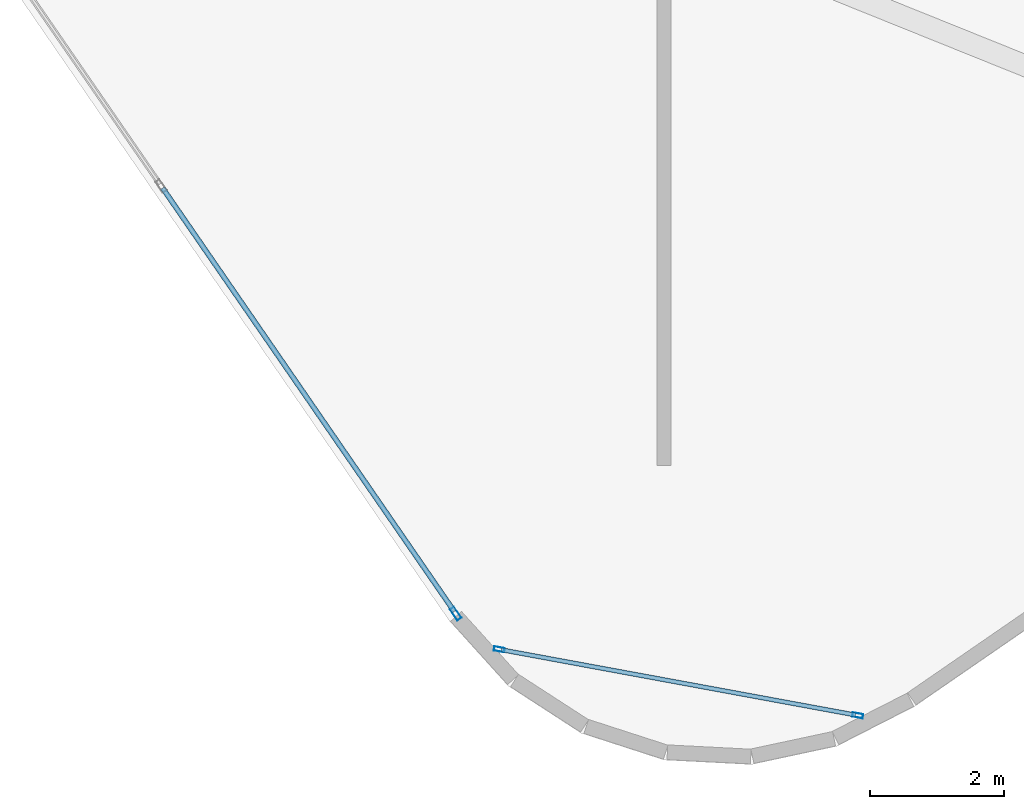
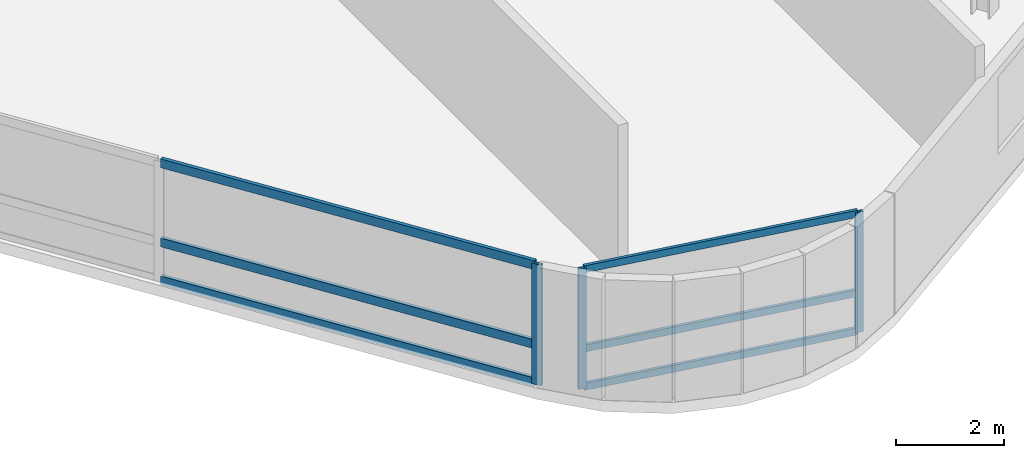
# One storey, part 4 of 23: 9 members, 2 elements without a shape of their own.
"""IFC4 building model written with IfcOpenShell, lengths in metres."""

from ifc_helpers import new_model, si_unit, direction, frame, origin, origin_2d, place, context, subcontext, project, spatial, hollow_rectangle, extrude, material, layer, layer_set, material_profile, profile_set, type_object, element, aggregate, save


model = new_model("IFC4")

# Units and contexts
model_context = context("Model", 3, precision=1e-05, world=origin(), true_north=direction((0.0, 1.0)))
body_context = subcontext(model_context, "Body", "Model", "MODEL_VIEW")
ifc_project = project(units=[si_unit("LENGTHUNIT", "METRE"), si_unit("AREAUNIT", "SQUARE_METRE"), si_unit("VOLUMEUNIT", "CUBIC_METRE"), si_unit("PLANEANGLEUNIT", "RADIAN"), si_unit("MASSUNIT", "GRAM", prefix="KILO")], contexts=[model_context])

# Site, building, storey
site_placement = place(None, origin())
site = spatial("IfcSite", under=ifc_project, at=site_placement, CompositionType="ELEMENT")
building_placement = place(site_placement, origin())
building = spatial("IfcBuilding", under=site, at=building_placement, Name="Varnelok Gate Tower", CompositionType="ELEMENT")
storey_placement = place(building_placement, frame((0.0, 0.0, 258.199951171875)))
storey = spatial("IfcBuildingStorey", under=building, at=storey_placement, Name="L66", CompositionType="ELEMENT", Elevation=258.199951171875)

# Curtain wall, members
ifc_material = material(Name="Anodized Aluminum Alloy 6063-T6", Category="aluminium")
ifc_layer_1 = layer(ifc_material, 0.179931640625)
ifc_layer_set_1 = layer_set([ifc_layer_1], Name="Anodized Aluminum Alloy 6063-T6")
curtain_wall_type_1 = type_object("IfcCurtainWallType", Name="CW5-WINDCORNER-GLAZ", PredefinedType="USERDEFINED", material=ifc_layer_set_1)
curtain_wall_1_placement = place(storey_placement, origin())
curtain_wall_1 = element("IfcCurtainWall", 1, at=curtain_wall_1_placement, inside=storey, type_object=curtain_wall_type_1, Name="L66 Wind-Shaped Corner Curtain Wall SW", ObjectType="STRUCTURAL GLAZING", PredefinedType="USERDEFINED")
ifc_material_profile_1 = material_profile(ifc_material, hollow_rectangle(XDim=0.06494140625, YDim=0.159912109375, WallThickness=0.00390625, at=origin_2d()), Name="ALU160X65X4")
ifc_profile_set_1 = profile_set([ifc_material_profile_1], Name="Anodized Aluminum Alloy 6063-T6")
member_type_1 = type_object("IfcMemberType", Name="CW-MULL-160", PredefinedType="MULLION", material=ifc_profile_set_1)
member_1_placement = place(storey_placement, frame((21.5361328125, -6.748779296875, 0.0), z_axis=(0.0, 0.0, 1.0), x_axis=(0.181201654564, 0.983445962106, 0.0)))
member_1 = element("IfcMember", 2, at=member_1_placement, type_object=member_type_1, Name="CW5 mullion 1", PredefinedType="MULLION", context=body_context, shape_type="SweptSolid", body=[
    extrude(hollow_rectangle(XDim=0.06494140625, YDim=0.159912109375, WallThickness=0.00390625, at=origin_2d()), origin(), (0.0, 0.0, 1.0), 2.72998046875),
])
member_2_placement = place(storey_placement, frame((26.896240234375, -7.736328125, 0.0), z_axis=(0.0, 0.0, 1.0), x_axis=(0.181201654564, 0.983445962106, 0.0)))
member_2 = element("IfcMember", 3, at=member_2_placement, type_object=member_type_1, Name="CW5 mullion 2", PredefinedType="MULLION", context=body_context, shape_type="SweptSolid", body=[
    extrude(hollow_rectangle(XDim=0.06494140625, YDim=0.159912109375, WallThickness=0.00390625, at=origin_2d()), origin(), (0.0, 0.0, 1.0), 2.72998046875),
])

# Curtain wall, member
ifc_layer_2 = layer(ifc_material, 0.179931640625)
ifc_layer_set_2 = layer_set([ifc_layer_2], Name="Anodized Aluminum Alloy 6063-T6")
curtain_wall_type_2 = type_object("IfcCurtainWallType", Name="CW4-RESIDENCE-VISION", PredefinedType="USERDEFINED", material=ifc_layer_set_2)
curtain_wall_2_placement = place(storey_placement, origin())
curtain_wall_2 = element("IfcCurtainWall", 4, at=curtain_wall_2_placement, inside=storey, type_object=curtain_wall_type_2, Name="L66 West End Vision Curtain Wall", ObjectType="UNITISED CURTAIN WALL", PredefinedType="USERDEFINED")
ifc_material_profile_2 = material_profile(ifc_material, hollow_rectangle(XDim=0.074951171875, YDim=0.199951171875, WallThickness=0.00390625, at=origin_2d()), Name="ALU200X75X4")
ifc_profile_set_2 = profile_set([ifc_material_profile_2], Name="Anodized Aluminum Alloy 6063-T6")
member_type_2 = type_object("IfcMemberType", Name="CW-MULL-200", PredefinedType="MULLION", material=ifc_profile_set_2)
member_3_placement = place(storey_placement, frame((20.884521484375, -6.21337890625, 0.0), z_axis=(0.0, 0.0, 1.0), x_axis=(-0.823532290241, -0.567269395376, 0.0)))
member_3 = element("IfcMember", 5, at=member_3_placement, type_object=member_type_2, Name="CW4 mullion 1", PredefinedType="MULLION", context=body_context, shape_type="SweptSolid", body=[
    extrude(hollow_rectangle(XDim=0.074951171875, YDim=0.199951171875, WallThickness=0.00390625, at=origin_2d()), origin(), (0.0, 0.0, 1.0), 2.72998046875),
])

# Member
ifc_material_profile_3 = material_profile(ifc_material, hollow_rectangle(XDim=0.06494140625, YDim=0.159912109375, WallThickness=0.00390625, at=origin_2d()), Name="ALU160X65X4")
ifc_profile_set_3 = profile_set([ifc_material_profile_3], Name="Anodized Aluminum Alloy 6063-T6")
member_type_3 = type_object("IfcMemberType", Name="CW-TRAN-160", PredefinedType="USERDEFINED", material=ifc_profile_set_3)
member_4_placement = place(storey_placement, frame((21.568115234375, -6.754638671875, 0.032470703125), z_axis=(0.983445748374, -0.18120281456, 0.0), x_axis=(0.18120281456, 0.983445748374, 0.0)))
member_4 = element("IfcMember", 6, at=member_4_placement, type_object=member_type_3, Name="CW5 transom 1.1", ObjectType="TRANSOM", PredefinedType="USERDEFINED", context=body_context, shape_type="SweptSolid", body=[
    extrude(hollow_rectangle(XDim=0.06494140625, YDim=0.159912109375, WallThickness=0.00390625, at=origin_2d()), origin(), (0.0, 0.0, 1.0), 5.38525390625),
])

member_5_placement = place(storey_placement, frame((21.568115234375, -6.754638671875, 0.900146484375), z_axis=(0.983445748374, -0.18120281456, 0.0), x_axis=(0.18120281456, 0.983445748374, 0.0)))
member_5 = element("IfcMember", 7, at=member_5_placement, type_object=member_type_3, Name="CW5 transom 1.2", ObjectType="TRANSOM", PredefinedType="USERDEFINED", context=body_context, shape_type="SweptSolid", body=[
    extrude(hollow_rectangle(XDim=0.06494140625, YDim=0.159912109375, WallThickness=0.00390625, at=origin_2d()), origin(), (0.0, 0.0, 1.0), 5.38525390625),
])

member_6_placement = place(storey_placement, frame((21.568115234375, -6.754638671875, 2.697509765625), z_axis=(0.983445748374, -0.18120281456, 0.0), x_axis=(0.18120281456, 0.983445748374, 0.0)))
member_6 = element("IfcMember", 8, at=member_6_placement, type_object=member_type_3, Name="CW5 transom 1.3", ObjectType="TRANSOM", PredefinedType="USERDEFINED", context=body_context, shape_type="SweptSolid", body=[
    extrude(hollow_rectangle(XDim=0.06494140625, YDim=0.159912109375, WallThickness=0.00390625, at=origin_2d()), origin(), (0.0, 0.0, 1.0), 5.38525390625),
])

aggregate(curtain_wall_1, [member_1, member_2, member_4, member_5, member_6])

ifc_material_profile_4 = material_profile(ifc_material, hollow_rectangle(XDim=0.074951171875, YDim=0.199951171875, WallThickness=0.00390625, at=origin_2d()), Name="ALU200X75X4")
ifc_profile_set_4 = profile_set([ifc_material_profile_4], Name="Anodized Aluminum Alloy 6063-T6")
member_type_4 = type_object("IfcMemberType", Name="CW-TRAN-200", PredefinedType="USERDEFINED", material=ifc_profile_set_4)
member_7_placement = place(storey_placement, frame((20.86328125, -6.1826171875, 0.03759765625), z_axis=(-0.567256418128, 0.82354122914, 0.0), x_axis=(-0.82354122914, -0.567256418128, 0.0)))
member_7 = element("IfcMember", 9, at=member_7_placement, type_object=member_type_4, Name="CW4 transom 1.1", ObjectType="TRANSOM", PredefinedType="USERDEFINED", context=body_context, shape_type="SweptSolid", body=[
    extrude(hollow_rectangle(XDim=0.074951171875, YDim=0.199951171875, WallThickness=0.00390625, at=origin_2d()), origin(), (0.0, 0.0, 1.0), 7.6875),
])

member_8_placement = place(storey_placement, frame((20.86328125, -6.1826171875, 0.900146484375), z_axis=(-0.567256418128, 0.82354122914, 0.0), x_axis=(-0.82354122914, -0.567256418128, 0.0)))
member_8 = element("IfcMember", 10, at=member_8_placement, type_object=member_type_4, Name="CW4 transom 1.2", ObjectType="TRANSOM", PredefinedType="USERDEFINED", context=body_context, shape_type="SweptSolid", body=[
    extrude(hollow_rectangle(XDim=0.074951171875, YDim=0.199951171875, WallThickness=0.00390625, at=origin_2d()), origin(), (0.0, 0.0, 1.0), 7.6875),
])

member_9_placement = place(storey_placement, frame((20.86328125, -6.1826171875, 2.692626953125), z_axis=(-0.567256418128, 0.82354122914, 0.0), x_axis=(-0.82354122914, -0.567256418128, 0.0)))
member_9 = element("IfcMember", 11, at=member_9_placement, type_object=member_type_4, Name="CW4 transom 1.3", ObjectType="TRANSOM", PredefinedType="USERDEFINED", context=body_context, shape_type="SweptSolid", body=[
    extrude(hollow_rectangle(XDim=0.074951171875, YDim=0.199951171875, WallThickness=0.00390625, at=origin_2d()), origin(), (0.0, 0.0, 1.0), 7.6875),
])

aggregate(curtain_wall_2, [member_3, member_7, member_8, member_9])

save(model, "model.ifc")
